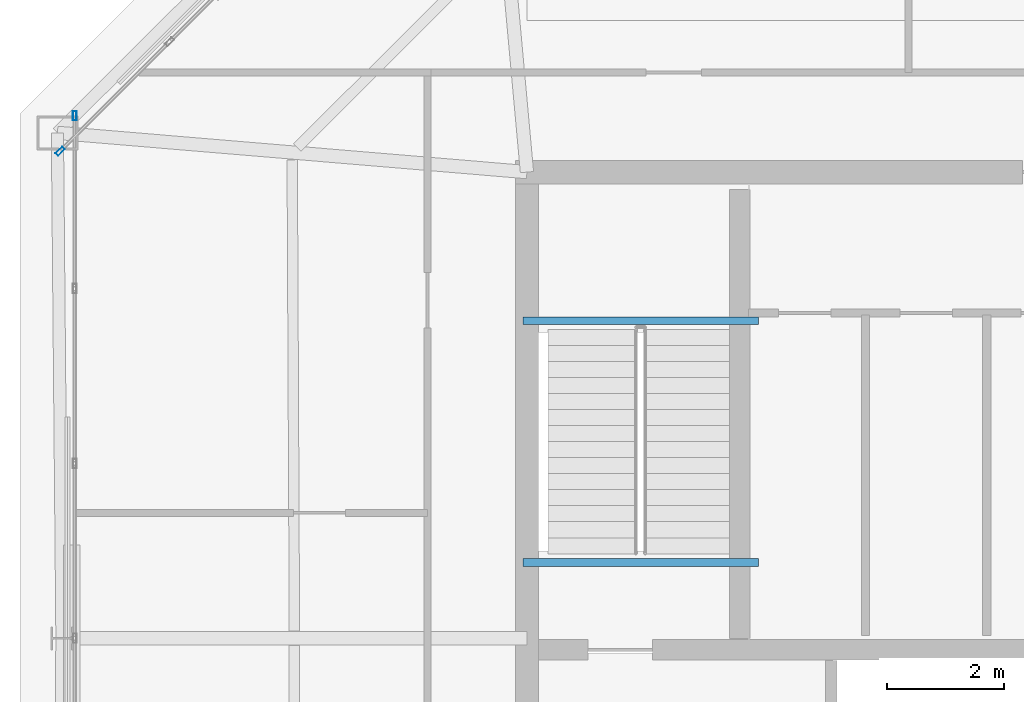
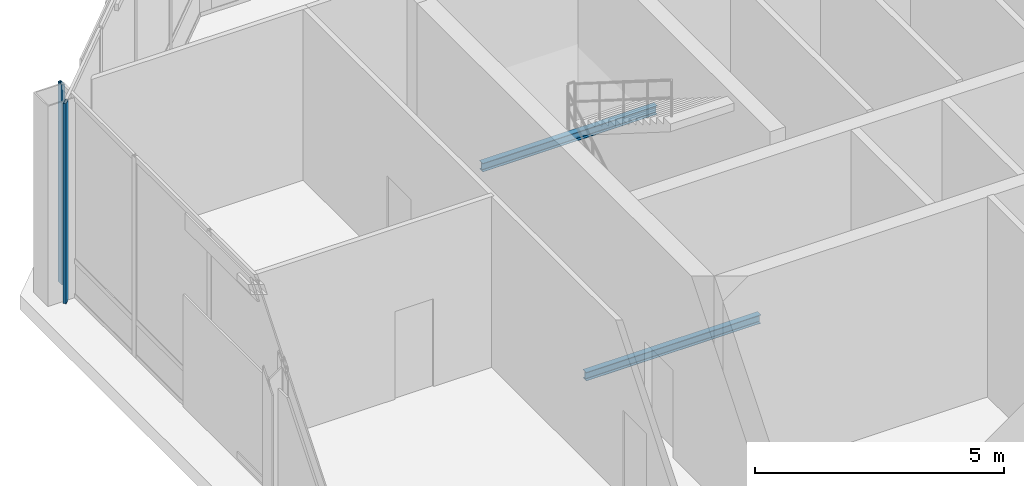
# One storey, part 9 of 21: 2 beams, 2 members, 2 elements without a shape of their own.
"""IFC4 building model written with IfcOpenShell, lengths in metres."""

import ifcopenshell
import ifcopenshell.guid

model = None  # the IFC model being written
_history = None  # IfcOwnerHistory: only IFC2X3 demands one
_inside = {}  # id of a spatial element -> (the spatial element, [elements in it])
_under = {}  # id of a project, library or spatial element -> (it, [spatial elements below it])
_declared = {}  # id of a project -> (the project, [libraries it declares])
_typed = {}  # id of a type object -> (the type object, [elements of that type])
_made_of = {}  # id of a material, layer set ... -> (it, [elements and type objects made of it])


def new_model(schema):
    """Start an empty IFC model of exactly this schema.

    Asked for "IFC4X3", IfcOpenShell would pick the latest addendum, in which some entities
    have other attributes; the version numbers below select the first issue.
    IFC2X3 requires an IfcOwnerHistory on every rooted entity: one is made here for all.
    """
    global model, _history
    if schema == "IFC4X3":
        model = ifcopenshell.file(schema_version=(4, 3, 0, 0))
    else:
        model = ifcopenshell.file(schema=schema)
    _inside.clear()
    _under.clear()
    _declared.clear()
    _typed.clear()
    _made_of.clear()
    _history = None
    if model.schema == "IFC2X3":
        org = make("IfcOrganization", Name="unknown")
        user = make(
            "IfcPersonAndOrganization",
            ThePerson=make("IfcPerson", FamilyName="unknown"),
            TheOrganization=org,
        )
        app = make(
            "IfcApplication",
            ApplicationDeveloper=org,
            Version="unknown",
            ApplicationFullName="unknown",
            ApplicationIdentifier="unknown",
        )
        _history = make(
            "IfcOwnerHistory",
            OwningUser=user,
            OwningApplication=app,
            ChangeAction="ADDED",
            CreationDate=0,
        )
    return model


def make(cls, **values):
    """One entity of the class cls with the attributes given. An attribute that is None is left unset."""
    return model.create_entity(
        cls, **{name: value for name, value in values.items() if value is not None}
    )


def rooted(cls, **values):
    """An entity with a GlobalId (a new one), such as an element, a storey or a relation."""
    return make(cls, GlobalId=ifcopenshell.guid.new(), OwnerHistory=_history, **values)


def si_unit(unit_type, name, prefix=None):
    """IfcSIUnit, for example si_unit("LENGTHUNIT", "METRE", prefix="MILLI")."""
    return make("IfcSIUnit", UnitType=unit_type, Prefix=prefix, Name=name)


def assignment(units):
    """IfcUnitAssignment: the units of a project."""
    return None if units is None else make("IfcUnitAssignment", Units=units)


def point(xyz):
    """IfcCartesianPoint."""
    return None if xyz is None else make("IfcCartesianPoint", Coordinates=xyz)


def direction(xyz):
    """IfcDirection."""
    return None if xyz is None else make("IfcDirection", DirectionRatios=xyz)


def frame(location, z_axis=None, x_axis=None):
    """IfcAxis2Placement3D, a coordinate frame: its origin and axes. An axis left out is left unset."""
    return make(
        "IfcAxis2Placement3D",
        Location=point(location),
        Axis=direction(z_axis),
        RefDirection=direction(x_axis),
    )


def frame_2d(location, x_axis=None):
    """IfcAxis2Placement2D, a coordinate frame in the plane: its origin and x axis."""
    return make(
        "IfcAxis2Placement2D", Location=point(location), RefDirection=direction(x_axis)
    )


def origin():
    """The frame at (0, 0, 0) with its axes left unset."""
    return frame((0.0, 0.0, 0.0))


def origin_2d():
    """The frame at (0, 0) in the plane with its x axis left unset."""
    return frame_2d((0.0, 0.0))


def place(relative_to, where):
    """IfcLocalPlacement: puts the frame where relative to a parent placement (None: the world)."""
    return make(
        "IfcLocalPlacement", PlacementRelTo=relative_to, RelativePlacement=where
    )


def context(
    kind, dimensions, precision=None, world=None, true_north=None, identifier=None
):
    """IfcGeometricRepresentationContext, for example the 3D "Model" context."""
    return make(
        "IfcGeometricRepresentationContext",
        ContextIdentifier=identifier,
        ContextType=kind,
        CoordinateSpaceDimension=dimensions,
        Precision=precision,
        WorldCoordinateSystem=world,
        TrueNorth=true_north,
    )


def subcontext(parent, identifier, kind, view, scale=None):
    """IfcGeometricRepresentationSubContext, for example "Body" below "Model"."""
    return make(
        "IfcGeometricRepresentationSubContext",
        ContextIdentifier=identifier,
        ContextType=kind,
        ParentContext=parent,
        TargetScale=scale,
        TargetView=view,
    )


def project(units=None, contexts=None):
    """IfcProject with its units and contexts."""
    return rooted(
        "IfcProject",
        Name="project",
        RepresentationContexts=contexts,
        UnitsInContext=assignment(units),
    )


def spatial(cls, under=None, at=None, **own):
    """A site, building, storey or space (cls), placed at a placement, below another one or the project."""
    s = rooted(cls, ObjectPlacement=at, **own)
    if under is not None:
        _under.setdefault(under.id(), (under, []))[1].append(s)
    return s


def profile(cls, at=None, kind="AREA", **sizes):
    """A parametric profile (cls). Its sizes go by their IFC names, for example OverallWidth=200.0."""
    return make(cls, ProfileType=kind, Position=at, **sizes)


def hollow_rectangle(**sizes):
    """IfcRectangleHollowProfileDef."""
    return profile("IfcRectangleHollowProfileDef", **sizes)


def i_section(**sizes):
    """IfcIShapeProfileDef."""
    return profile("IfcIShapeProfileDef", **sizes)


def extrude(swept, where, along, depth):
    """IfcExtrudedAreaSolid: the profile swept, set in the frame where, extruded along a direction by depth."""
    return make(
        "IfcExtrudedAreaSolid",
        SweptArea=swept,
        Position=where,
        ExtrudedDirection=direction(along),
        Depth=depth,
    )


def shape(context_of_items, identifier, shape_type, items):
    """IfcShapeRepresentation: the items that make up one representation, for example the "Body"."""
    return make(
        "IfcShapeRepresentation",
        ContextOfItems=context_of_items,
        RepresentationIdentifier=identifier,
        RepresentationType=shape_type,
        Items=items,
    )


def material(Name=None, Category=None):
    """IfcMaterial."""
    return make("IfcMaterial", Name=Name, Category=Category)


def layer(
    of_material, thickness, ventilated=None, Name=None, Category=None, Priority=None
):
    """IfcMaterialLayer: one layer of a wall or slab, of a material (None: an air gap)."""
    return make(
        "IfcMaterialLayer",
        Material=of_material,
        LayerThickness=thickness,
        IsVentilated=ventilated,
        Name=Name,
        Category=Category,
        Priority=Priority,
    )


def layer_set(layers, Name=None):
    """IfcMaterialLayerSet."""
    return make("IfcMaterialLayerSet", MaterialLayers=layers, LayerSetName=Name)


def material_profile(
    of_material, cross_section, Name=None, Category=None, Priority=None
):
    """IfcMaterialProfile: a cross section and its material."""
    return make(
        "IfcMaterialProfile",
        Name=Name,
        Material=of_material,
        Profile=cross_section,
        Priority=Priority,
        Category=Category,
    )


def profile_set(profiles, Name=None, composite=None):
    """IfcMaterialProfileSet."""
    return make(
        "IfcMaterialProfileSet",
        Name=Name,
        MaterialProfiles=profiles,
        CompositeProfile=composite,
    )


def made_of(thing, what):
    """Note that an element or type object is made of a material, layer set ...; save() writes the relation."""
    if what is not None:
        _made_of.setdefault(what.id(), (what, []))[1].append(thing)
    return thing


def type_object(cls, material=None, **own):
    """A type object (cls), such as IfcWallType, which elements share."""
    return made_of(rooted(cls, **own), material)


def element(
    cls,
    number,
    at=None,
    inside=None,
    cuts=None,
    type_object=None,
    material=None,
    context=None,
    identifier="Body",
    shape_type=None,
    held_by="IfcProductDefinitionShape",
    body=None,
    shapes=None,
    **own,
):
    """One element of the class cls, such as IfcWall. Its Tag is "e" and its number.

    at: its placement. inside: the storey or other place that contains it. cuts: it is an
    opening in that element (IfcRelVoidsElement). A single representation is given by context,
    identifier, shape_type and body (its items); several are given by shapes. held_by: the class
    of the entity that holds the representations. save() writes the other relations.
    """
    e = rooted(cls, Tag="e%d" % number, ObjectPlacement=at, **own)
    if body is not None:
        shapes = [shape(context, identifier, shape_type, body)]
    if shapes is not None:
        e.Representation = make(held_by, Representations=shapes)
    if inside is not None:
        _inside.setdefault(inside.id(), (inside, []))[1].append(e)
    if cuts is not None:
        rooted(
            "IfcRelVoidsElement", RelatingBuildingElement=cuts, RelatedOpeningElement=e
        )
    if type_object is not None:
        _typed.setdefault(type_object.id(), (type_object, []))[1].append(e)
    return made_of(e, material)


def aggregate(whole, parts):
    """IfcRelAggregates: a whole, such as a stair, and the parts it consists of."""
    return rooted("IfcRelAggregates", RelatingObject=whole, RelatedObjects=parts)


def save(model, path):
    """Write the relations noted so far, then the file.

    IfcRelAggregates (storeys below a building ...), IfcRelContainedInSpatialStructure (elements
    in a storey), IfcRelDefinesByType, IfcRelAssociatesMaterial and IfcRelDeclares: one each for
    every whole, place, type object, material and project.
    """
    for whole, parts in _under.values():
        aggregate(whole, parts)
    for where, things in _inside.values():
        rooted(
            "IfcRelContainedInSpatialStructure",
            RelatedElements=things,
            RelatingStructure=where,
        )
    for kind, things in _typed.values():
        rooted("IfcRelDefinesByType", RelatedObjects=things, RelatingType=kind)
    for what, things in _made_of.values():
        rooted("IfcRelAssociatesMaterial", RelatedObjects=things, RelatingMaterial=what)
    for by, libraries in _declared.values():
        rooted("IfcRelDeclares", RelatingContext=by, RelatedDefinitions=libraries)
    model.write(path)


model = new_model("IFC4")

# Units and contexts
model_context = context("Model", 3, precision=1e-05, world=origin(), true_north=direction((0.0, 1.0)))
body_context = subcontext(model_context, "Body", "Model", "MODEL_VIEW")
ifc_project = project(units=[si_unit("LENGTHUNIT", "METRE"), si_unit("AREAUNIT", "SQUARE_METRE"), si_unit("VOLUMEUNIT", "CUBIC_METRE"), si_unit("PLANEANGLEUNIT", "RADIAN"), si_unit("MASSUNIT", "GRAM", prefix="KILO")], contexts=[model_context])

# Site, building, storey
site_placement = place(None, origin())
site = spatial("IfcSite", under=ifc_project, at=site_placement, CompositionType="ELEMENT")
building_placement = place(site_placement, origin())
building = spatial("IfcBuilding", under=site, at=building_placement, Name="Caelvoria Tower", CompositionType="ELEMENT")
storey_placement = place(building_placement, frame((0.0, 0.0, 279.0)))
storey = spatial("IfcBuildingStorey", under=building, at=storey_placement, Name="L74", CompositionType="ELEMENT", Elevation=279.0)

# Beams
ifc_material_1 = material(Name="Structural Steel ASTM A992 Gr.50", Category="steel")
ifc_material_profile_1 = material_profile(ifc_material_1, i_section(OverallWidth=0.134033203125, OverallDepth=0.2099609375, WebThickness=0.00634765625, FlangeThickness=0.01025390625, FilletRadius=0.010009765625, at=origin_2d()), Name="Structural Steel ASTM A992 Gr.50")
ifc_profile_set_1 = profile_set([ifc_material_profile_1], Name="W200X31.3 - Structural Steel ASTM A992 Gr.50")
beam_type = type_object("IfcBeamType", Name="Canopy Edge Trim Beam W200X31.3", PredefinedType="BEAM", material=ifc_profile_set_1)
for number, where, z_axis, x_axis, name in (
    (1, (36.929931640625, 37.449951171875, 2.294921875), (1.0, 0.0, 0.0), (0.0, 1.0, 0.0), "ST-01 Half-Landing Support Beam L74"),
    (2, (36.929931640625, 33.300048828125, -0.304931640625), (1.0, 0.0, 0.0), (0.0, 1.0, 0.0), "ST-01 Floor-Landing Support Beam L74"),
):
    element("IfcBeam", number, at=place(storey_placement, frame(where, z_axis=z_axis, x_axis=x_axis)), inside=storey, type_object=beam_type, Name=name, PredefinedType="BEAM", context=body_context, shape_type="SweptSolid", body=[
        extrude(i_section(OverallWidth=0.134033203125, OverallDepth=0.2099609375, WebThickness=0.00634765625, FlangeThickness=0.01025390625, FilletRadius=0.010009765625, at=origin_2d()), origin(), (0.0, 0.0, 1.0), 4.0400390625),
    ])

# Curtain wall, member
ifc_material_2 = material(Name="Anodised Bronze Aluminium and Low-E Glass", Category="aluminium")
ifc_layer = layer(ifc_material_2, 0.205078125, Name="Anodised Bronze Aluminium and Low-E Glass")
ifc_layer_set = layer_set([ifc_layer], Name="CW System 5 Observation Panorama Low-Iron Facade - Anodised Bronze Aluminium and Low-E Glass")
curtain_wall_type = type_object("IfcCurtainWallType", Name="CW System 5 Observation Panorama Low-Iron Facade", PredefinedType="NOTDEFINED", material=ifc_layer_set)
curtain_wall_1_placement = place(storey_placement, origin())
curtain_wall_1 = element("IfcCurtainWall", 3, at=curtain_wall_1_placement, inside=storey, type_object=curtain_wall_type, Name="CW-05 Curtain Wall L74-E5", PredefinedType="NOTDEFINED")
ifc_material_3 = material(Name="Anodised Bronze Architectural Aluminium", Category="aluminium")
ifc_material_profile_2 = material_profile(ifc_material_3, hollow_rectangle(XDim=0.06494140625, YDim=0.159912109375, WallThickness=0.00390625, at=origin_2d()), Name="Anodised Bronze Architectural Aluminium")
ifc_profile_set_2 = profile_set([ifc_material_profile_2], Name="CW_MULL_65X160 - Anodised Bronze Architectural Aluminium")
member_type = type_object("IfcMemberType", Name="Curtain Wall Mullion 65x160 Bronze Aluminium", PredefinedType="MULLION", material=ifc_profile_set_2)
member_1_placement = place(storey_placement, frame((28.98779296875, 40.3583984375, 0.0), z_axis=(0.0, 0.0, 1.0), x_axis=(0.707106781187, -0.707106781187, 0.0)))
member_1 = element("IfcMember", 4, at=member_1_placement, type_object=member_type, Name="CW-05 mullion 5", PredefinedType="MULLION", context=body_context, shape_type="SweptSolid", body=[
    extrude(hollow_rectangle(XDim=0.06494140625, YDim=0.159912109375, WallThickness=0.00390625, at=origin_2d()), origin(), (0.0, 0.0, 1.0), 4.89990234375),
])
aggregate(curtain_wall_1, [member_1])

curtain_wall_2_placement = place(storey_placement, origin())
curtain_wall_2 = element("IfcCurtainWall", 5, at=curtain_wall_2_placement, inside=storey, type_object=curtain_wall_type, Name="CW-05 Curtain Wall L74-E6", PredefinedType="NOTDEFINED")
member_2_placement = place(storey_placement, frame((29.239990234375, 40.967529296875, 0.0), z_axis=(0.0, 0.0, 1.0), x_axis=(1.0, 0.0, 0.0)))
member_2 = element("IfcMember", 6, at=member_2_placement, type_object=member_type, Name="CW-05 mullion 1", PredefinedType="MULLION", context=body_context, shape_type="SweptSolid", body=[
    extrude(hollow_rectangle(XDim=0.06494140625, YDim=0.159912109375, WallThickness=0.00390625, at=origin_2d()), origin(), (0.0, 0.0, 1.0), 4.89990234375),
])
aggregate(curtain_wall_2, [member_2])

save(model, "model.ifc")
